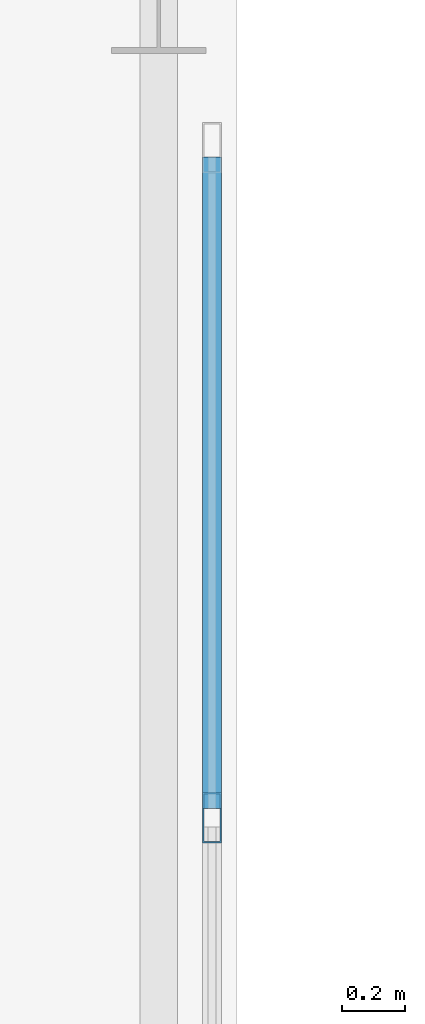
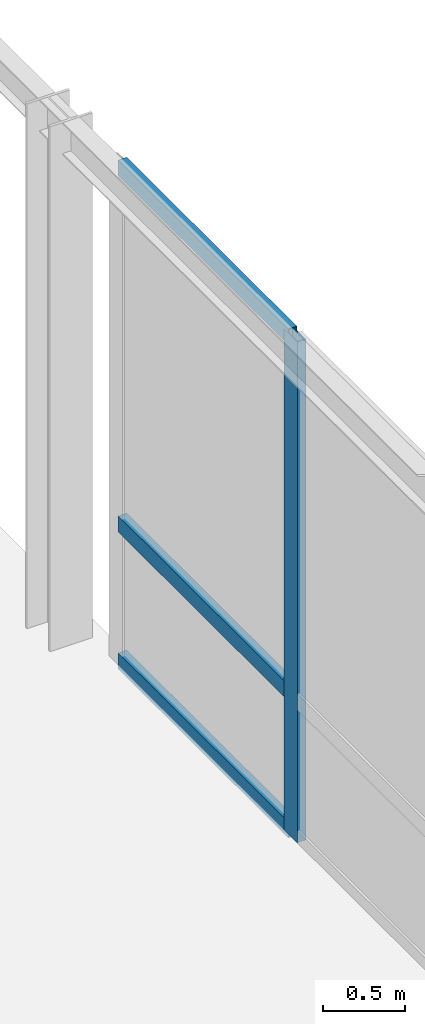
# One storey, part 44 of 189: 4 members, 1 element without a shape of its own.
"""IFC4 building model written with IfcOpenShell, lengths in metres."""

import ifcopenshell
import ifcopenshell.guid

model = None  # the IFC model being written
_history = None  # IfcOwnerHistory: only IFC2X3 demands one
_inside = {}  # id of a spatial element -> (the spatial element, [elements in it])
_under = {}  # id of a project, library or spatial element -> (it, [spatial elements below it])
_declared = {}  # id of a project -> (the project, [libraries it declares])
_typed = {}  # id of a type object -> (the type object, [elements of that type])
_made_of = {}  # id of a material, layer set ... -> (it, [elements and type objects made of it])


def new_model(schema):
    """Start an empty IFC model of exactly this schema.

    Asked for "IFC4X3", IfcOpenShell would pick the latest addendum, in which some entities
    have other attributes; the version numbers below select the first issue.
    IFC2X3 requires an IfcOwnerHistory on every rooted entity: one is made here for all.
    """
    global model, _history
    if schema == "IFC4X3":
        model = ifcopenshell.file(schema_version=(4, 3, 0, 0))
    else:
        model = ifcopenshell.file(schema=schema)
    _inside.clear()
    _under.clear()
    _declared.clear()
    _typed.clear()
    _made_of.clear()
    _history = None
    if model.schema == "IFC2X3":
        org = make("IfcOrganization", Name="unknown")
        user = make(
            "IfcPersonAndOrganization",
            ThePerson=make("IfcPerson", FamilyName="unknown"),
            TheOrganization=org,
        )
        app = make(
            "IfcApplication",
            ApplicationDeveloper=org,
            Version="unknown",
            ApplicationFullName="unknown",
            ApplicationIdentifier="unknown",
        )
        _history = make(
            "IfcOwnerHistory",
            OwningUser=user,
            OwningApplication=app,
            ChangeAction="ADDED",
            CreationDate=0,
        )
    return model


def make(cls, **values):
    """One entity of the class cls with the attributes given. An attribute that is None is left unset."""
    return model.create_entity(
        cls, **{name: value for name, value in values.items() if value is not None}
    )


def rooted(cls, **values):
    """An entity with a GlobalId (a new one), such as an element, a storey or a relation."""
    return make(cls, GlobalId=ifcopenshell.guid.new(), OwnerHistory=_history, **values)


def si_unit(unit_type, name, prefix=None):
    """IfcSIUnit, for example si_unit("LENGTHUNIT", "METRE", prefix="MILLI")."""
    return make("IfcSIUnit", UnitType=unit_type, Prefix=prefix, Name=name)


def assignment(units):
    """IfcUnitAssignment: the units of a project."""
    return None if units is None else make("IfcUnitAssignment", Units=units)


def point(xyz):
    """IfcCartesianPoint."""
    return None if xyz is None else make("IfcCartesianPoint", Coordinates=xyz)


def direction(xyz):
    """IfcDirection."""
    return None if xyz is None else make("IfcDirection", DirectionRatios=xyz)


def frame(location, z_axis=None, x_axis=None):
    """IfcAxis2Placement3D, a coordinate frame: its origin and axes. An axis left out is left unset."""
    return make(
        "IfcAxis2Placement3D",
        Location=point(location),
        Axis=direction(z_axis),
        RefDirection=direction(x_axis),
    )


def frame_2d(location, x_axis=None):
    """IfcAxis2Placement2D, a coordinate frame in the plane: its origin and x axis."""
    return make(
        "IfcAxis2Placement2D", Location=point(location), RefDirection=direction(x_axis)
    )


def origin():
    """The frame at (0, 0, 0) with its axes left unset."""
    return frame((0.0, 0.0, 0.0))


def origin_2d():
    """The frame at (0, 0) in the plane with its x axis left unset."""
    return frame_2d((0.0, 0.0))


def place(relative_to, where):
    """IfcLocalPlacement: puts the frame where relative to a parent placement (None: the world)."""
    return make(
        "IfcLocalPlacement", PlacementRelTo=relative_to, RelativePlacement=where
    )


def context(
    kind, dimensions, precision=None, world=None, true_north=None, identifier=None
):
    """IfcGeometricRepresentationContext, for example the 3D "Model" context."""
    return make(
        "IfcGeometricRepresentationContext",
        ContextIdentifier=identifier,
        ContextType=kind,
        CoordinateSpaceDimension=dimensions,
        Precision=precision,
        WorldCoordinateSystem=world,
        TrueNorth=true_north,
    )


def subcontext(parent, identifier, kind, view, scale=None):
    """IfcGeometricRepresentationSubContext, for example "Body" below "Model"."""
    return make(
        "IfcGeometricRepresentationSubContext",
        ContextIdentifier=identifier,
        ContextType=kind,
        ParentContext=parent,
        TargetScale=scale,
        TargetView=view,
    )


def project(units=None, contexts=None):
    """IfcProject with its units and contexts."""
    return rooted(
        "IfcProject",
        Name="project",
        RepresentationContexts=contexts,
        UnitsInContext=assignment(units),
    )


def spatial(cls, under=None, at=None, **own):
    """A site, building, storey or space (cls), placed at a placement, below another one or the project."""
    s = rooted(cls, ObjectPlacement=at, **own)
    if under is not None:
        _under.setdefault(under.id(), (under, []))[1].append(s)
    return s


def profile(cls, at=None, kind="AREA", **sizes):
    """A parametric profile (cls). Its sizes go by their IFC names, for example OverallWidth=200.0."""
    return make(cls, ProfileType=kind, Position=at, **sizes)


def hollow_rectangle(**sizes):
    """IfcRectangleHollowProfileDef."""
    return profile("IfcRectangleHollowProfileDef", **sizes)


def extrude(swept, where, along, depth):
    """IfcExtrudedAreaSolid: the profile swept, set in the frame where, extruded along a direction by depth."""
    return make(
        "IfcExtrudedAreaSolid",
        SweptArea=swept,
        Position=where,
        ExtrudedDirection=direction(along),
        Depth=depth,
    )


def shape(context_of_items, identifier, shape_type, items):
    """IfcShapeRepresentation: the items that make up one representation, for example the "Body"."""
    return make(
        "IfcShapeRepresentation",
        ContextOfItems=context_of_items,
        RepresentationIdentifier=identifier,
        RepresentationType=shape_type,
        Items=items,
    )


def material(Name=None, Category=None):
    """IfcMaterial."""
    return make("IfcMaterial", Name=Name, Category=Category)


def layer(
    of_material, thickness, ventilated=None, Name=None, Category=None, Priority=None
):
    """IfcMaterialLayer: one layer of a wall or slab, of a material (None: an air gap)."""
    return make(
        "IfcMaterialLayer",
        Material=of_material,
        LayerThickness=thickness,
        IsVentilated=ventilated,
        Name=Name,
        Category=Category,
        Priority=Priority,
    )


def layer_set(layers, Name=None):
    """IfcMaterialLayerSet."""
    return make("IfcMaterialLayerSet", MaterialLayers=layers, LayerSetName=Name)


def material_profile(
    of_material, cross_section, Name=None, Category=None, Priority=None
):
    """IfcMaterialProfile: a cross section and its material."""
    return make(
        "IfcMaterialProfile",
        Name=Name,
        Material=of_material,
        Profile=cross_section,
        Priority=Priority,
        Category=Category,
    )


def profile_set(profiles, Name=None, composite=None):
    """IfcMaterialProfileSet."""
    return make(
        "IfcMaterialProfileSet",
        Name=Name,
        MaterialProfiles=profiles,
        CompositeProfile=composite,
    )


def made_of(thing, what):
    """Note that an element or type object is made of a material, layer set ...; save() writes the relation."""
    if what is not None:
        _made_of.setdefault(what.id(), (what, []))[1].append(thing)
    return thing


def type_object(cls, material=None, **own):
    """A type object (cls), such as IfcWallType, which elements share."""
    return made_of(rooted(cls, **own), material)


def element(
    cls,
    number,
    at=None,
    inside=None,
    cuts=None,
    type_object=None,
    material=None,
    context=None,
    identifier="Body",
    shape_type=None,
    held_by="IfcProductDefinitionShape",
    body=None,
    shapes=None,
    **own,
):
    """One element of the class cls, such as IfcWall. Its Tag is "e" and its number.

    at: its placement. inside: the storey or other place that contains it. cuts: it is an
    opening in that element (IfcRelVoidsElement). A single representation is given by context,
    identifier, shape_type and body (its items); several are given by shapes. held_by: the class
    of the entity that holds the representations. save() writes the other relations.
    """
    e = rooted(cls, Tag="e%d" % number, ObjectPlacement=at, **own)
    if body is not None:
        shapes = [shape(context, identifier, shape_type, body)]
    if shapes is not None:
        e.Representation = make(held_by, Representations=shapes)
    if inside is not None:
        _inside.setdefault(inside.id(), (inside, []))[1].append(e)
    if cuts is not None:
        rooted(
            "IfcRelVoidsElement", RelatingBuildingElement=cuts, RelatedOpeningElement=e
        )
    if type_object is not None:
        _typed.setdefault(type_object.id(), (type_object, []))[1].append(e)
    return made_of(e, material)


def aggregate(whole, parts):
    """IfcRelAggregates: a whole, such as a stair, and the parts it consists of."""
    return rooted("IfcRelAggregates", RelatingObject=whole, RelatedObjects=parts)


def save(model, path):
    """Write the relations noted so far, then the file.

    IfcRelAggregates (storeys below a building ...), IfcRelContainedInSpatialStructure (elements
    in a storey), IfcRelDefinesByType, IfcRelAssociatesMaterial and IfcRelDeclares: one each for
    every whole, place, type object, material and project.
    """
    for whole, parts in _under.values():
        aggregate(whole, parts)
    for where, things in _inside.values():
        rooted(
            "IfcRelContainedInSpatialStructure",
            RelatedElements=things,
            RelatingStructure=where,
        )
    for kind, things in _typed.values():
        rooted("IfcRelDefinesByType", RelatedObjects=things, RelatingType=kind)
    for what, things in _made_of.values():
        rooted("IfcRelAssociatesMaterial", RelatedObjects=things, RelatingMaterial=what)
    for by, libraries in _declared.values():
        rooted("IfcRelDeclares", RelatingContext=by, RelatedDefinitions=libraries)
    model.write(path)


model = new_model("IFC4")

# Units and contexts
model_context = context("Model", 3, precision=1e-05, world=origin(), true_north=direction((0.0, 1.0)))
body_context = subcontext(model_context, "Body", "Model", "MODEL_VIEW")
ifc_project = project(units=[si_unit("LENGTHUNIT", "METRE"), si_unit("AREAUNIT", "SQUARE_METRE"), si_unit("VOLUMEUNIT", "CUBIC_METRE"), si_unit("PLANEANGLEUNIT", "RADIAN"), si_unit("MASSUNIT", "GRAM", prefix="KILO")], contexts=[model_context])

# Site, building, storey
site_placement = place(None, origin())
site = spatial("IfcSite", under=ifc_project, at=site_placement, CompositionType="ELEMENT")
building_placement = place(site_placement, origin())
building = spatial("IfcBuilding", under=site, at=building_placement, Name="Montecoro Central Library", CompositionType="ELEMENT")
storey_placement = place(building_placement, frame((0.0, 0.0, 9.179931640625)))
storey = spatial("IfcBuildingStorey", under=building, at=storey_placement, Name="L02", CompositionType="ELEMENT", Elevation=9.179931640625)

# Curtain wall, members
ifc_material_1 = material(Name="Bronze-anodised aluminium and low-E glazing", Category="aluminium")
ifc_layer = layer(ifc_material_1, 0.159912109375)
ifc_layer_set = layer_set([ifc_layer], Name="Bronze-anodised aluminium and low-E glazing")
curtain_wall_type = type_object("IfcCurtainWallType", Name="CWT-082", PredefinedType="NOTDEFINED", material=ifc_layer_set)
curtain_wall_placement = place(storey_placement, origin())
curtain_wall = element("IfcCurtainWall", 1, at=curtain_wall_placement, inside=storey, type_object=curtain_wall_type, Name="BR-W-L02-CW-E2", PredefinedType="NOTDEFINED")
ifc_material_2 = material(Name="Bronze-anodised aluminium", Category="aluminium")
ifc_material_profile_1 = material_profile(ifc_material_2, hollow_rectangle(XDim=0.06005859375, YDim=0.159912109375, WallThickness=0.00390625, at=origin_2d()), Name="CWM 160x60x4.0")
ifc_profile_set_1 = profile_set([ifc_material_profile_1], Name="Bronze-anodised aluminium")
member_type_1 = type_object("IfcMemberType", Name="CWM-BRZ-60", PredefinedType="MULLION", material=ifc_profile_set_1)
member_1_placement = place(storey_placement, frame((30.719970703125, 61.31494140625, 0.0), z_axis=(0.0, 0.0, 1.0), x_axis=(-1.0, 0.0, 0.0)))
member_1 = element("IfcMember", 2, at=member_1_placement, type_object=member_type_1, Name="CW-082 mullion 4", PredefinedType="MULLION", context=body_context, shape_type="SweptSolid", body=[
    extrude(hollow_rectangle(XDim=0.06005859375, YDim=0.159912109375, WallThickness=0.00390625, at=origin_2d()), origin(), (0.0, 0.0, 1.0), 3.72998046875),
])
ifc_material_profile_2 = material_profile(ifc_material_2, hollow_rectangle(XDim=0.06005859375, YDim=0.1201171875, WallThickness=0.00390625, at=origin_2d()), Name="CWT 120x60x4.0")
ifc_profile_set_2 = profile_set([ifc_material_profile_2], Name="Bronze-anodised aluminium")
member_type_2 = type_object("IfcMemberType", Name="CWT-BRZ-60", PredefinedType="USERDEFINED", material=ifc_profile_set_2)
member_2_placement = place(storey_placement, frame((30.719970703125, 61.344970703125, 0.030029296875), z_axis=(0.0, 1.0, 0.0), x_axis=(-1.0, 0.0, 0.0)))
member_2 = element("IfcMember", 3, at=member_2_placement, type_object=member_type_2, Name="CW-082 transom 4.1", ObjectType="TRANSOM", PredefinedType="USERDEFINED", context=body_context, shape_type="SweptSolid", body=[
    extrude(hollow_rectangle(XDim=0.06005859375, YDim=0.1201171875, WallThickness=0.00390625, at=origin_2d()), origin(), (0.0, 0.0, 1.0), 2.074951171875),
])
member_3_placement = place(storey_placement, frame((30.719970703125, 61.344970703125, 1.050048828125), z_axis=(0.0, 1.0, 0.0), x_axis=(-1.0, 0.0, 0.0)))
member_3 = element("IfcMember", 4, at=member_3_placement, type_object=member_type_2, Name="CW-082 transom 4.2", ObjectType="TRANSOM", PredefinedType="USERDEFINED", context=body_context, shape_type="SweptSolid", body=[
    extrude(hollow_rectangle(XDim=0.06005859375, YDim=0.1201171875, WallThickness=0.00390625, at=origin_2d()), origin(), (0.0, 0.0, 1.0), 2.074951171875),
])
member_4_placement = place(storey_placement, frame((30.719970703125, 61.344970703125, 3.699951171875), z_axis=(0.0, 1.0, 0.0), x_axis=(-1.0, 0.0, 0.0)))
member_4 = element("IfcMember", 5, at=member_4_placement, type_object=member_type_2, Name="CW-082 transom 4.3", ObjectType="TRANSOM", PredefinedType="USERDEFINED", context=body_context, shape_type="SweptSolid", body=[
    extrude(hollow_rectangle(XDim=0.06005859375, YDim=0.1201171875, WallThickness=0.00390625, at=origin_2d()), origin(), (0.0, 0.0, 1.0), 2.074951171875),
])
aggregate(curtain_wall, [member_1, member_2, member_3, member_4])

save(model, "model.ifc")
